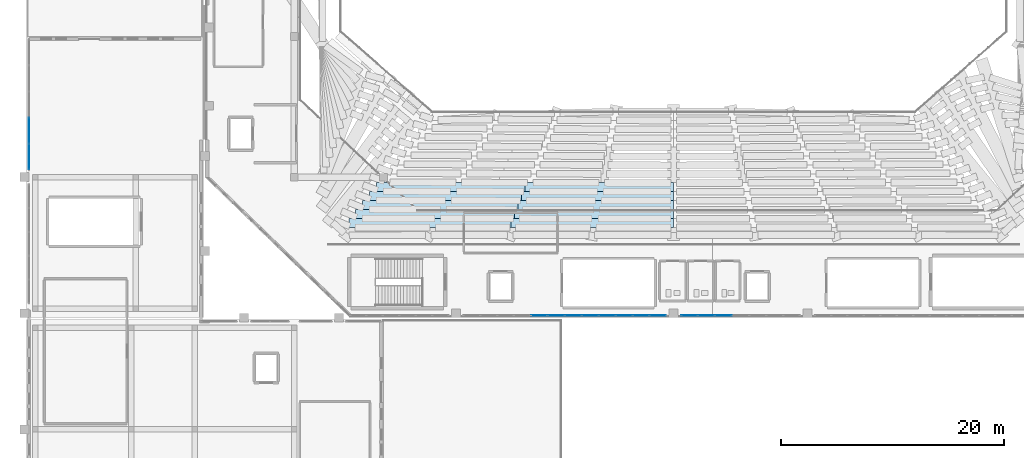
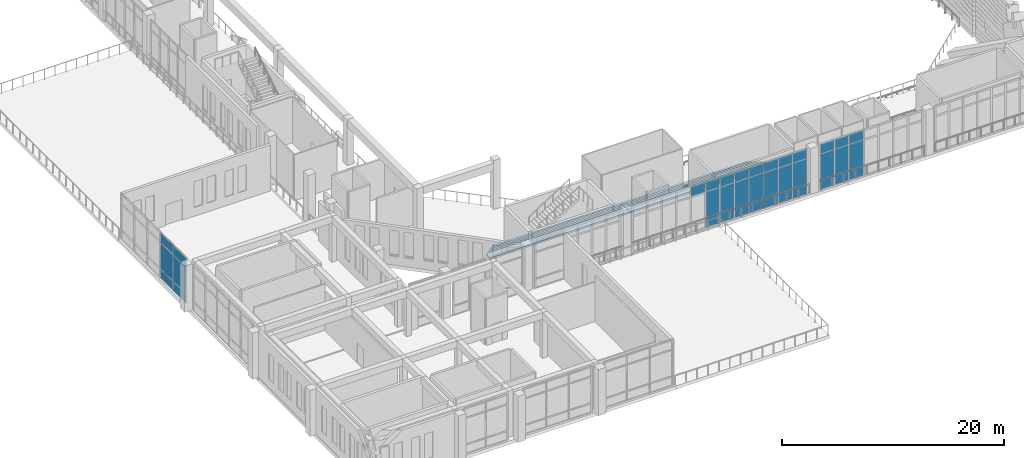
# One storey, part 32 of 55: 37 plates, 10 slabs, 3 elements without a shape of their own.
"""IFC4 building model written with IfcOpenShell, lengths in metres."""

from ifc_helpers import new_model, si_unit, derived_unit, direction, frame, origin, origin_2d, place, context, subcontext, project, spatial, polyline, rectangle, outline, extrude, material, layer, layer_set, type_object, element, aggregate, save


model = new_model("IFC4")

# Units and contexts
model_context = context("Model", 3, precision=1e-05, world=origin(), true_north=direction((0.0, 1.0)))
body_context = subcontext(model_context, "Body", "Model", "MODEL_VIEW")
ifc_project = project(units=[si_unit("LENGTHUNIT", "METRE"), si_unit("AREAUNIT", "SQUARE_METRE"), si_unit("VOLUMEUNIT", "CUBIC_METRE"), si_unit("PLANEANGLEUNIT", "RADIAN"), si_unit("MASSUNIT", "GRAM", prefix="KILO"), derived_unit("THERMALTRANSMITTANCEUNIT", [(si_unit("MASSUNIT", "GRAM", prefix="KILO"), 1), (si_unit("TIMEUNIT", "SECOND"), -3), (si_unit("THERMODYNAMICTEMPERATUREUNIT", "KELVIN"), -1)])], contexts=[model_context])

# Site, building, storey
site_placement = place(None, origin())
site = spatial("IfcSite", under=ifc_project, at=site_placement, CompositionType="ELEMENT")
building_placement = place(site_placement, origin())
building = spatial("IfcBuilding", under=site, at=building_placement, Name="Valcora Ridge Arena", CompositionType="ELEMENT")
storey_placement = place(building_placement, frame((0.0, 0.0, 21.0)))
storey = spatial("IfcBuildingStorey", under=building, at=storey_placement, Name="L04", CompositionType="ELEMENT", Elevation=21.0)

# Curtain wall, plates
ifc_material_1 = material(Name="Anodised dark bronze architectural aluminium 6063-T6", Category="aluminium")
ifc_layer_1 = layer(ifc_material_1, 0.179931640625, Name="Anodised dark bronze architectural aluminium 6063-T6")
ifc_layer_set_1 = layer_set([ifc_layer_1], Name="Anodised dark bronze architectural aluminium 6063-T6")
curtain_wall_type_1 = type_object("IfcCurtainWallType", Name="TY-CURTAINWALL-CW-V1-GOTH-182X51", PredefinedType="NOTDEFINED", material=ifc_layer_set_1)
curtain_wall_1_placement = place(storey_placement, origin())
curtain_wall_1 = element("IfcCurtainWall", 1, at=curtain_wall_1_placement, inside=storey, type_object=curtain_wall_type_1, Name="CW-V1-GOTH-182X51 CW-0154", PredefinedType="NOTDEFINED")
ifc_material_2 = material(Name="Low-iron solar-control double glazing SHGC 0.28", Category="glass")
ifc_layer_2 = layer(ifc_material_2, 0.031982421875, Name="Low-iron solar-control double glazing SHGC 0.28")
ifc_layer_set_2 = layer_set([ifc_layer_2], Name="Low-iron solar-control double glazing SHGC 0.28")
plate_type_1 = type_object("IfcPlateType", Name="TY-PLT-CWP-1428X0960", PredefinedType="CURTAIN_PANEL", material=ifc_layer_set_2)
plate_1_placement = place(storey_placement, frame((56.5859375, 20.199951171875, 0.06005859375), z_axis=(0.0, 0.0, 1.0), x_axis=(1.0, 0.0, 0.0)))
plate_1 = element("IfcPlate", 2, at=plate_1_placement, type_object=plate_type_1, Name="CW-0154/P11-00", PredefinedType="CURTAIN_PANEL", context=body_context, shape_type="SweptSolid", body=[
    extrude(rectangle(XDim=1.427978515625, YDim=0.031982421875, at=origin_2d()), origin(), (0.0, 0.0, 1.0), 0.9599609375),
])
ifc_layer_3 = layer(ifc_material_2, 0.031982421875, Name="Low-iron solar-control double glazing SHGC 0.28")
ifc_layer_set_3 = layer_set([ifc_layer_3], Name="Low-iron solar-control double glazing SHGC 0.28")
plate_type_2 = type_object("IfcPlateType", Name="TY-PLT-CWP-1428X1010", PredefinedType="CURTAIN_PANEL", material=ifc_layer_set_3)
plate_2_placement = place(storey_placement, frame((56.5859375, 20.199951171875, 3.990234375), z_axis=(0.0, 0.0, 1.0), x_axis=(1.0, 0.0, 0.0)))
plate_2 = element("IfcPlate", 3, at=plate_2_placement, type_object=plate_type_2, Name="CW-0154/P11-02", PredefinedType="CURTAIN_PANEL", context=body_context, shape_type="SweptSolid", body=[
    extrude(rectangle(XDim=1.427978515625, YDim=0.031982421875, at=origin_2d()), origin(), (0.0, 0.0, 1.0), 1.010009765625),
])
ifc_layer_4 = layer(ifc_material_2, 0.031982421875, Name="Low-iron solar-control double glazing SHGC 0.28")
ifc_layer_set_4 = layer_set([ifc_layer_4], Name="Low-iron solar-control double glazing SHGC 0.28")
plate_type_3 = type_object("IfcPlateType", Name="TY-PLT-CWP-1428X2850", PredefinedType="CURTAIN_PANEL", material=ifc_layer_set_4)
plate_3_placement = place(storey_placement, frame((56.5859375, 20.199951171875, 1.079833984375), z_axis=(0.0, 0.0, 1.0), x_axis=(1.0, 0.0, 0.0)))
plate_3 = element("IfcPlate", 4, at=plate_3_placement, type_object=plate_type_3, Name="CW-0154/P11-01", PredefinedType="CURTAIN_PANEL", context=body_context, shape_type="SweptSolid", body=[
    extrude(rectangle(XDim=1.427978515625, YDim=0.031982421875, at=origin_2d()), origin(), (0.0, 0.0, 1.0), 2.85009765625),
])

ifc_layer_5 = layer(ifc_material_1, 0.179931640625, Name="Anodised dark bronze architectural aluminium 6063-T6")
ifc_layer_set_5 = layer_set([ifc_layer_5], Name="Anodised dark bronze architectural aluminium 6063-T6")
curtain_wall_type_2 = type_object("IfcCurtainWallType", Name="TY-CURTAINWALL-CW-V1-GOTH-107X51", PredefinedType="NOTDEFINED", material=ifc_layer_set_5)
curtain_wall_2_placement = place(storey_placement, origin())
curtain_wall_2 = element("IfcCurtainWall", 5, at=curtain_wall_2_placement, inside=storey, type_object=curtain_wall_type_2, Name="CW-V1-GOTH-107X51 CW-0155", PredefinedType="NOTDEFINED")
ifc_layer_6 = layer(ifc_material_2, 0.031982421875, Name="Low-iron solar-control double glazing SHGC 0.28")
ifc_layer_set_6 = layer_set([ifc_layer_6], Name="Low-iron solar-control double glazing SHGC 0.28")
plate_type_4 = type_object("IfcPlateType", Name="TY-PLT-CWP-1441X0960", PredefinedType="CURTAIN_PANEL", material=ifc_layer_set_6)
plate_4_placement = place(storey_placement, frame((59.42041015625, 20.199951171875, 0.06005859375), z_axis=(0.0, 0.0, 1.0), x_axis=(1.0, 0.0, 0.0)))
plate_4 = element("IfcPlate", 6, at=plate_4_placement, type_object=plate_type_4, Name="CW-0155/P00-00", PredefinedType="CURTAIN_PANEL", context=body_context, shape_type="SweptSolid", body=[
    extrude(rectangle(XDim=1.44091796875, YDim=0.031982421875, at=origin_2d()), origin(), (0.0, 0.0, 1.0), 0.9599609375),
])
ifc_layer_7 = layer(ifc_material_2, 0.031982421875, Name="Low-iron solar-control double glazing SHGC 0.28")
ifc_layer_set_7 = layer_set([ifc_layer_7], Name="Low-iron solar-control double glazing SHGC 0.28")
plate_type_5 = type_object("IfcPlateType", Name="TY-PLT-CWP-1441X1010", PredefinedType="CURTAIN_PANEL", material=ifc_layer_set_7)
plate_5_placement = place(storey_placement, frame((59.42041015625, 20.199951171875, 3.990234375), z_axis=(0.0, 0.0, 1.0), x_axis=(1.0, 0.0, 0.0)))
plate_5 = element("IfcPlate", 7, at=plate_5_placement, type_object=plate_type_5, Name="CW-0155/P00-02", PredefinedType="CURTAIN_PANEL", context=body_context, shape_type="SweptSolid", body=[
    extrude(rectangle(XDim=1.44091796875, YDim=0.031982421875, at=origin_2d()), origin(), (0.0, 0.0, 1.0), 1.010009765625),
])
ifc_layer_8 = layer(ifc_material_2, 0.031982421875, Name="Low-iron solar-control double glazing SHGC 0.28")
ifc_layer_set_8 = layer_set([ifc_layer_8], Name="Low-iron solar-control double glazing SHGC 0.28")
plate_type_6 = type_object("IfcPlateType", Name="TY-PLT-CWP-1441X2850", PredefinedType="CURTAIN_PANEL", material=ifc_layer_set_8)
plate_6_placement = place(storey_placement, frame((59.42041015625, 20.199951171875, 1.079833984375), z_axis=(0.0, 0.0, 1.0), x_axis=(1.0, 0.0, 0.0)))
plate_6 = element("IfcPlate", 8, at=plate_6_placement, type_object=plate_type_6, Name="CW-0155/P00-01", PredefinedType="CURTAIN_PANEL", context=body_context, shape_type="SweptSolid", body=[
    extrude(rectangle(XDim=1.44091796875, YDim=0.031982421875, at=origin_2d()), origin(), (0.0, 0.0, 1.0), 2.85009765625),
])

# Plate
ifc_layer_9 = layer(ifc_material_2, 0.031982421875, Name="Low-iron solar-control double glazing SHGC 0.28")
ifc_layer_set_9 = layer_set([ifc_layer_9], Name="Low-iron solar-control double glazing SHGC 0.28")
plate_type_7 = type_object("IfcPlateType", Name="TY-PLT-CWP-1458X0960", PredefinedType="CURTAIN_PANEL", material=ifc_layer_set_9)
plate_7_placement = place(storey_placement, frame((47.490966796875, 20.199951171875, 0.06005859375), z_axis=(0.0, 0.0, 1.0), x_axis=(1.0, 0.0, 0.0)))
plate_7 = element("IfcPlate", 9, at=plate_7_placement, type_object=plate_type_7, Name="CW-0154/P05-00", PredefinedType="CURTAIN_PANEL", context=body_context, shape_type="SweptSolid", body=[
    extrude(rectangle(XDim=1.4580078125, YDim=0.031982421875, at=origin_2d()), origin(), (0.0, 0.0, 1.0), 0.9599609375),
])

plate_8_placement = place(storey_placement, frame((49.009033203125, 20.199951171875, 0.06005859375), z_axis=(0.0, 0.0, 1.0), x_axis=(1.0, 0.0, 0.0)))
plate_8 = element("IfcPlate", 10, at=plate_8_placement, type_object=plate_type_7, Name="CW-0154/P06-00", PredefinedType="CURTAIN_PANEL", context=body_context, shape_type="SweptSolid", body=[
    extrude(rectangle(XDim=1.4580078125, YDim=0.031982421875, at=origin_2d()), origin(), (0.0, 0.0, 1.0), 0.9599609375),
])

plate_9_placement = place(storey_placement, frame((52.0458984375, 20.199951171875, 0.06005859375), z_axis=(0.0, 0.0, 1.0), x_axis=(1.0, 0.0, 0.0)))
plate_9 = element("IfcPlate", 11, at=plate_9_placement, type_object=plate_type_7, Name="CW-0154/P08-00", PredefinedType="CURTAIN_PANEL", context=body_context, shape_type="SweptSolid", body=[
    extrude(rectangle(XDim=1.4580078125, YDim=0.031982421875, at=origin_2d()), origin(), (0.0, 0.0, 1.0), 0.9599609375),
])

plate_10_placement = place(storey_placement, frame((53.56396484375, 20.199951171875, 0.06005859375), z_axis=(0.0, 0.0, 1.0), x_axis=(1.0, 0.0, 0.0)))
plate_10 = element("IfcPlate", 12, at=plate_10_placement, type_object=plate_type_7, Name="CW-0154/P09-00", PredefinedType="CURTAIN_PANEL", context=body_context, shape_type="SweptSolid", body=[
    extrude(rectangle(XDim=1.4580078125, YDim=0.031982421875, at=origin_2d()), origin(), (0.0, 0.0, 1.0), 0.9599609375),
])

ifc_layer_10 = layer(ifc_material_2, 0.031982421875, Name="Low-iron solar-control double glazing SHGC 0.28")
ifc_layer_set_10 = layer_set([ifc_layer_10], Name="Low-iron solar-control double glazing SHGC 0.28")
plate_type_8 = type_object("IfcPlateType", Name="TY-PLT-CWP-1458X1010", PredefinedType="CURTAIN_PANEL", material=ifc_layer_set_10)
plate_11_placement = place(storey_placement, frame((47.490966796875, 20.199951171875, 3.990234375), z_axis=(0.0, 0.0, 1.0), x_axis=(1.0, 0.0, 0.0)))
plate_11 = element("IfcPlate", 13, at=plate_11_placement, type_object=plate_type_8, Name="CW-0154/P05-02", PredefinedType="CURTAIN_PANEL", context=body_context, shape_type="SweptSolid", body=[
    extrude(rectangle(XDim=1.4580078125, YDim=0.031982421875, at=origin_2d()), origin(), (0.0, 0.0, 1.0), 1.010009765625),
])

plate_12_placement = place(storey_placement, frame((49.009033203125, 20.199951171875, 3.990234375), z_axis=(0.0, 0.0, 1.0), x_axis=(1.0, 0.0, 0.0)))
plate_12 = element("IfcPlate", 14, at=plate_12_placement, type_object=plate_type_8, Name="CW-0154/P06-02", PredefinedType="CURTAIN_PANEL", context=body_context, shape_type="SweptSolid", body=[
    extrude(rectangle(XDim=1.4580078125, YDim=0.031982421875, at=origin_2d()), origin(), (0.0, 0.0, 1.0), 1.010009765625),
])

plate_13_placement = place(storey_placement, frame((52.0458984375, 20.199951171875, 3.990234375), z_axis=(0.0, 0.0, 1.0), x_axis=(1.0, 0.0, 0.0)))
plate_13 = element("IfcPlate", 15, at=plate_13_placement, type_object=plate_type_8, Name="CW-0154/P08-02", PredefinedType="CURTAIN_PANEL", context=body_context, shape_type="SweptSolid", body=[
    extrude(rectangle(XDim=1.4580078125, YDim=0.031982421875, at=origin_2d()), origin(), (0.0, 0.0, 1.0), 1.010009765625),
])

plate_14_placement = place(storey_placement, frame((53.56396484375, 20.199951171875, 3.990234375), z_axis=(0.0, 0.0, 1.0), x_axis=(1.0, 0.0, 0.0)))
plate_14 = element("IfcPlate", 16, at=plate_14_placement, type_object=plate_type_8, Name="CW-0154/P09-02", PredefinedType="CURTAIN_PANEL", context=body_context, shape_type="SweptSolid", body=[
    extrude(rectangle(XDim=1.4580078125, YDim=0.031982421875, at=origin_2d()), origin(), (0.0, 0.0, 1.0), 1.010009765625),
])

ifc_layer_11 = layer(ifc_material_2, 0.031982421875, Name="Low-iron solar-control double glazing SHGC 0.28")
ifc_layer_set_11 = layer_set([ifc_layer_11], Name="Low-iron solar-control double glazing SHGC 0.28")
plate_type_9 = type_object("IfcPlateType", Name="TY-PLT-CWP-1458X2850", PredefinedType="CURTAIN_PANEL", material=ifc_layer_set_11)
plate_15_placement = place(storey_placement, frame((47.490966796875, 20.199951171875, 1.079833984375), z_axis=(0.0, 0.0, 1.0), x_axis=(1.0, 0.0, 0.0)))
plate_15 = element("IfcPlate", 17, at=plate_15_placement, type_object=plate_type_9, Name="CW-0154/P05-01", PredefinedType="CURTAIN_PANEL", context=body_context, shape_type="SweptSolid", body=[
    extrude(rectangle(XDim=1.4580078125, YDim=0.031982421875, at=origin_2d()), origin(), (0.0, 0.0, 1.0), 2.85009765625),
])

plate_16_placement = place(storey_placement, frame((49.009033203125, 20.199951171875, 1.079833984375), z_axis=(0.0, 0.0, 1.0), x_axis=(1.0, 0.0, 0.0)))
plate_16 = element("IfcPlate", 18, at=plate_16_placement, type_object=plate_type_9, Name="CW-0154/P06-01", PredefinedType="CURTAIN_PANEL", context=body_context, shape_type="SweptSolid", body=[
    extrude(rectangle(XDim=1.4580078125, YDim=0.031982421875, at=origin_2d()), origin(), (0.0, 0.0, 1.0), 2.85009765625),
])

plate_17_placement = place(storey_placement, frame((52.0458984375, 20.199951171875, 1.079833984375), z_axis=(0.0, 0.0, 1.0), x_axis=(1.0, 0.0, 0.0)))
plate_17 = element("IfcPlate", 19, at=plate_17_placement, type_object=plate_type_9, Name="CW-0154/P08-01", PredefinedType="CURTAIN_PANEL", context=body_context, shape_type="SweptSolid", body=[
    extrude(rectangle(XDim=1.4580078125, YDim=0.031982421875, at=origin_2d()), origin(), (0.0, 0.0, 1.0), 2.85009765625),
])

plate_18_placement = place(storey_placement, frame((53.56396484375, 20.199951171875, 1.079833984375), z_axis=(0.0, 0.0, 1.0), x_axis=(1.0, 0.0, 0.0)))
plate_18 = element("IfcPlate", 20, at=plate_18_placement, type_object=plate_type_9, Name="CW-0154/P09-01", PredefinedType="CURTAIN_PANEL", context=body_context, shape_type="SweptSolid", body=[
    extrude(rectangle(XDim=1.4580078125, YDim=0.031982421875, at=origin_2d()), origin(), (0.0, 0.0, 1.0), 2.85009765625),
])

ifc_layer_12 = layer(ifc_material_2, 0.031982421875, Name="Low-iron solar-control double glazing SHGC 0.28")
ifc_layer_set_12 = layer_set([ifc_layer_12], Name="Low-iron solar-control double glazing SHGC 0.28")
plate_type_10 = type_object("IfcPlateType", Name="TY-PLT-CWP-1459X0960", PredefinedType="CURTAIN_PANEL", material=ifc_layer_set_12)
plate_19_placement = place(storey_placement, frame((50.527587890625, 20.199951171875, 0.06005859375), z_axis=(0.0, 0.0, 1.0), x_axis=(1.0, 0.0, 0.0)))
plate_19 = element("IfcPlate", 21, at=plate_19_placement, type_object=plate_type_10, Name="CW-0154/P07-00", PredefinedType="CURTAIN_PANEL", context=body_context, shape_type="SweptSolid", body=[
    extrude(rectangle(XDim=1.458984375, YDim=0.031982421875, at=origin_2d()), origin(), (0.0, 0.0, 1.0), 0.9599609375),
])

plate_20_placement = place(storey_placement, frame((55.08251953125, 20.199951171875, 0.06005859375), z_axis=(0.0, 0.0, 1.0), x_axis=(1.0, 0.0, 0.0)))
plate_20 = element("IfcPlate", 22, at=plate_20_placement, type_object=plate_type_10, Name="CW-0154/P10-00", PredefinedType="CURTAIN_PANEL", context=body_context, shape_type="SweptSolid", body=[
    extrude(rectangle(XDim=1.458984375, YDim=0.031982421875, at=origin_2d()), origin(), (0.0, 0.0, 1.0), 0.9599609375),
])

ifc_layer_13 = layer(ifc_material_2, 0.031982421875, Name="Low-iron solar-control double glazing SHGC 0.28")
ifc_layer_set_13 = layer_set([ifc_layer_13], Name="Low-iron solar-control double glazing SHGC 0.28")
plate_type_11 = type_object("IfcPlateType", Name="TY-PLT-CWP-1459X1010", PredefinedType="CURTAIN_PANEL", material=ifc_layer_set_13)
plate_21_placement = place(storey_placement, frame((45.972412109375, 20.199951171875, 3.990234375), z_axis=(0.0, 0.0, 1.0), x_axis=(1.0, 0.0, 0.0)))
plate_21 = element("IfcPlate", 23, at=plate_21_placement, type_object=plate_type_11, Name="CW-0154/P04-02", PredefinedType="CURTAIN_PANEL", context=body_context, shape_type="SweptSolid", body=[
    extrude(rectangle(XDim=1.458984375, YDim=0.031982421875, at=origin_2d()), origin(), (0.0, 0.0, 1.0), 1.010009765625),
])

plate_22_placement = place(storey_placement, frame((50.527587890625, 20.199951171875, 3.990234375), z_axis=(0.0, 0.0, 1.0), x_axis=(1.0, 0.0, 0.0)))
plate_22 = element("IfcPlate", 24, at=plate_22_placement, type_object=plate_type_11, Name="CW-0154/P07-02", PredefinedType="CURTAIN_PANEL", context=body_context, shape_type="SweptSolid", body=[
    extrude(rectangle(XDim=1.458984375, YDim=0.031982421875, at=origin_2d()), origin(), (0.0, 0.0, 1.0), 1.010009765625),
])

plate_23_placement = place(storey_placement, frame((55.08251953125, 20.199951171875, 3.990234375), z_axis=(0.0, 0.0, 1.0), x_axis=(1.0, 0.0, 0.0)))
plate_23 = element("IfcPlate", 25, at=plate_23_placement, type_object=plate_type_11, Name="CW-0154/P10-02", PredefinedType="CURTAIN_PANEL", context=body_context, shape_type="SweptSolid", body=[
    extrude(rectangle(XDim=1.458984375, YDim=0.031982421875, at=origin_2d()), origin(), (0.0, 0.0, 1.0), 1.010009765625),
])

ifc_layer_14 = layer(ifc_material_2, 0.031982421875, Name="Low-iron solar-control double glazing SHGC 0.28")
ifc_layer_set_14 = layer_set([ifc_layer_14], Name="Low-iron solar-control double glazing SHGC 0.28")
plate_type_12 = type_object("IfcPlateType", Name="TY-PLT-CWP-1459X2850", PredefinedType="CURTAIN_PANEL", material=ifc_layer_set_14)
plate_24_placement = place(storey_placement, frame((50.527587890625, 20.199951171875, 1.079833984375), z_axis=(0.0, 0.0, 1.0), x_axis=(1.0, 0.0, 0.0)))
plate_24 = element("IfcPlate", 26, at=plate_24_placement, type_object=plate_type_12, Name="CW-0154/P07-01", PredefinedType="CURTAIN_PANEL", context=body_context, shape_type="SweptSolid", body=[
    extrude(rectangle(XDim=1.458984375, YDim=0.031982421875, at=origin_2d()), origin(), (0.0, 0.0, 1.0), 2.85009765625),
])

plate_25_placement = place(storey_placement, frame((55.08251953125, 20.199951171875, 1.079833984375), z_axis=(0.0, 0.0, 1.0), x_axis=(1.0, 0.0, 0.0)))
plate_25 = element("IfcPlate", 27, at=plate_25_placement, type_object=plate_type_12, Name="CW-0154/P10-01", PredefinedType="CURTAIN_PANEL", context=body_context, shape_type="SweptSolid", body=[
    extrude(rectangle(XDim=1.458984375, YDim=0.031982421875, at=origin_2d()), origin(), (0.0, 0.0, 1.0), 2.85009765625),
])

aggregate(curtain_wall_1, [plate_21, plate_7, plate_15, plate_11, plate_8, plate_16, plate_12, plate_19, plate_24, plate_22, plate_9, plate_17, plate_13, plate_10, plate_18, plate_14, plate_20, plate_25, plate_23, plate_1, plate_3, plate_2])

ifc_layer_15 = layer(ifc_material_2, 0.031982421875, Name="Low-iron solar-control double glazing SHGC 0.28")
ifc_layer_set_15 = layer_set([ifc_layer_15], Name="Low-iron solar-control double glazing SHGC 0.28")
plate_type_13 = type_object("IfcPlateType", Name="TY-PLT-CWP-1471X0960", PredefinedType="CURTAIN_PANEL", material=ifc_layer_set_15)
plate_26_placement = place(storey_placement, frame((62.468505859375, 20.199951171875, 0.06005859375), z_axis=(0.0, 0.0, 1.0), x_axis=(1.0, 0.0, 0.0)))
plate_26 = element("IfcPlate", 28, at=plate_26_placement, type_object=plate_type_13, Name="CW-0155/P02-00", PredefinedType="CURTAIN_PANEL", context=body_context, shape_type="SweptSolid", body=[
    extrude(rectangle(XDim=1.470947265625, YDim=0.031982421875, at=origin_2d()), origin(), (0.0, 0.0, 1.0), 0.9599609375),
])

ifc_layer_16 = layer(ifc_material_2, 0.031982421875, Name="Low-iron solar-control double glazing SHGC 0.28")
ifc_layer_set_16 = layer_set([ifc_layer_16], Name="Low-iron solar-control double glazing SHGC 0.28")
plate_type_14 = type_object("IfcPlateType", Name="TY-PLT-CWP-1471X1010", PredefinedType="CURTAIN_PANEL", material=ifc_layer_set_16)
plate_27_placement = place(storey_placement, frame((62.468505859375, 20.199951171875, 3.990234375), z_axis=(0.0, 0.0, 1.0), x_axis=(1.0, 0.0, 0.0)))
plate_27 = element("IfcPlate", 29, at=plate_27_placement, type_object=plate_type_14, Name="CW-0155/P02-02", PredefinedType="CURTAIN_PANEL", context=body_context, shape_type="SweptSolid", body=[
    extrude(rectangle(XDim=1.470947265625, YDim=0.031982421875, at=origin_2d()), origin(), (0.0, 0.0, 1.0), 1.010009765625),
])

ifc_layer_17 = layer(ifc_material_2, 0.031982421875, Name="Low-iron solar-control double glazing SHGC 0.28")
ifc_layer_set_17 = layer_set([ifc_layer_17], Name="Low-iron solar-control double glazing SHGC 0.28")
plate_type_15 = type_object("IfcPlateType", Name="TY-PLT-CWP-1471X2850", PredefinedType="CURTAIN_PANEL", material=ifc_layer_set_17)
plate_28_placement = place(storey_placement, frame((62.468505859375, 20.199951171875, 1.079833984375), z_axis=(0.0, 0.0, 1.0), x_axis=(1.0, 0.0, 0.0)))
plate_28 = element("IfcPlate", 30, at=plate_28_placement, type_object=plate_type_15, Name="CW-0155/P02-01", PredefinedType="CURTAIN_PANEL", context=body_context, shape_type="SweptSolid", body=[
    extrude(rectangle(XDim=1.470947265625, YDim=0.031982421875, at=origin_2d()), origin(), (0.0, 0.0, 1.0), 2.85009765625),
])

ifc_layer_18 = layer(ifc_material_2, 0.031982421875, Name="Low-iron solar-control double glazing SHGC 0.28")
ifc_layer_set_18 = layer_set([ifc_layer_18], Name="Low-iron solar-control double glazing SHGC 0.28")
plate_type_16 = type_object("IfcPlateType", Name="TY-PLT-CWP-1472X0960", PredefinedType="CURTAIN_PANEL", material=ifc_layer_set_18)
plate_29_placement = place(storey_placement, frame((60.93701171875, 20.199951171875, 0.06005859375), z_axis=(0.0, 0.0, 1.0), x_axis=(1.0, 0.0, 0.0)))
plate_29 = element("IfcPlate", 31, at=plate_29_placement, type_object=plate_type_16, Name="CW-0155/P01-00", PredefinedType="CURTAIN_PANEL", context=body_context, shape_type="SweptSolid", body=[
    extrude(rectangle(XDim=1.471923828125, YDim=0.031982421875, at=origin_2d()), origin(), (0.0, 0.0, 1.0), 0.9599609375),
])

ifc_layer_19 = layer(ifc_material_2, 0.031982421875, Name="Low-iron solar-control double glazing SHGC 0.28")
ifc_layer_set_19 = layer_set([ifc_layer_19], Name="Low-iron solar-control double glazing SHGC 0.28")
plate_type_17 = type_object("IfcPlateType", Name="TY-PLT-CWP-1472X1010", PredefinedType="CURTAIN_PANEL", material=ifc_layer_set_19)
plate_30_placement = place(storey_placement, frame((60.93701171875, 20.199951171875, 3.990234375), z_axis=(0.0, 0.0, 1.0), x_axis=(1.0, 0.0, 0.0)))
plate_30 = element("IfcPlate", 32, at=plate_30_placement, type_object=plate_type_17, Name="CW-0155/P01-02", PredefinedType="CURTAIN_PANEL", context=body_context, shape_type="SweptSolid", body=[
    extrude(rectangle(XDim=1.471923828125, YDim=0.031982421875, at=origin_2d()), origin(), (0.0, 0.0, 1.0), 1.010009765625),
])

ifc_layer_20 = layer(ifc_material_2, 0.031982421875, Name="Low-iron solar-control double glazing SHGC 0.28")
ifc_layer_set_20 = layer_set([ifc_layer_20], Name="Low-iron solar-control double glazing SHGC 0.28")
plate_type_18 = type_object("IfcPlateType", Name="TY-PLT-CWP-1472X2850", PredefinedType="CURTAIN_PANEL", material=ifc_layer_set_20)
plate_31_placement = place(storey_placement, frame((60.93701171875, 20.199951171875, 1.079833984375), z_axis=(0.0, 0.0, 1.0), x_axis=(1.0, 0.0, 0.0)))
plate_31 = element("IfcPlate", 33, at=plate_31_placement, type_object=plate_type_18, Name="CW-0155/P01-01", PredefinedType="CURTAIN_PANEL", context=body_context, shape_type="SweptSolid", body=[
    extrude(rectangle(XDim=1.471923828125, YDim=0.031982421875, at=origin_2d()), origin(), (0.0, 0.0, 1.0), 2.85009765625),
])

aggregate(curtain_wall_2, [plate_4, plate_6, plate_5, plate_29, plate_31, plate_30, plate_26, plate_28, plate_27])

# Curtain wall, plates
ifc_layer_21 = layer(ifc_material_1, 0.14990234375, Name="Anodised dark bronze architectural aluminium 6063-T6")
ifc_layer_set_21 = layer_set([ifc_layer_21], Name="Anodised dark bronze architectural aluminium 6063-T6")
curtain_wall_type_3 = type_object("IfcCurtainWallType", Name="TY-CURTAINWALL-CW-V4-CLUB-117X51", PredefinedType="NOTDEFINED", material=ifc_layer_set_21)
curtain_wall_3_placement = place(storey_placement, origin())
curtain_wall_3 = element("IfcCurtainWall", 34, at=curtain_wall_3_placement, inside=storey, type_object=curtain_wall_type_3, Name="CW-V4-CLUB-117X51 CW-0305", PredefinedType="NOTDEFINED")
ifc_layer_22 = layer(ifc_material_2, 0.028076171875, Name="Low-iron solar-control double glazing SHGC 0.28")
ifc_layer_set_22 = layer_set([ifc_layer_22], Name="Low-iron solar-control double glazing SHGC 0.28")
plate_type_19 = type_object("IfcPlateType", Name="TY-PLT-CWP-2273X0975", PredefinedType="CURTAIN_PANEL", material=ifc_layer_set_22)
plate_32_placement = place(storey_placement, frame((0.219970703125, 34.426513671875, 0.050048828125), z_axis=(0.0, 0.0, 1.0), x_axis=(0.0, 1.0, 0.0)))
plate_32 = element("IfcPlate", 35, at=plate_32_placement, type_object=plate_type_19, Name="CW-0305/P00-00", PredefinedType="CURTAIN_PANEL", context=body_context, shape_type="SweptSolid", body=[
    extrude(rectangle(XDim=2.27294921875, YDim=0.028076171875, at=origin_2d()), origin(), (0.0, 0.0, 1.0), 0.97509765625),
])
ifc_layer_23 = layer(ifc_material_2, 0.028076171875, Name="Low-iron solar-control double glazing SHGC 0.28")
ifc_layer_set_23 = layer_set([ifc_layer_23], Name="Low-iron solar-control double glazing SHGC 0.28")
plate_type_20 = type_object("IfcPlateType", Name="TY-PLT-CWP-2273X1025", PredefinedType="CURTAIN_PANEL", material=ifc_layer_set_23)
plate_33_placement = place(storey_placement, frame((0.219970703125, 34.426513671875, 4.005126953125), z_axis=(0.0, 0.0, 1.0), x_axis=(0.0, 1.0, 0.0)))
plate_33 = element("IfcPlate", 36, at=plate_33_placement, type_object=plate_type_20, Name="CW-0305/P00-02", PredefinedType="CURTAIN_PANEL", context=body_context, shape_type="SweptSolid", body=[
    extrude(rectangle(XDim=2.27294921875, YDim=0.028076171875, at=origin_2d()), origin(), (0.0, 0.0, 1.0), 1.02490234375),
])
ifc_layer_24 = layer(ifc_material_2, 0.028076171875, Name="Low-iron solar-control double glazing SHGC 0.28")
ifc_layer_set_24 = layer_set([ifc_layer_24], Name="Low-iron solar-control double glazing SHGC 0.28")
plate_type_21 = type_object("IfcPlateType", Name="TY-PLT-CWP-2273X2880", PredefinedType="CURTAIN_PANEL", material=ifc_layer_set_24)
plate_34_placement = place(storey_placement, frame((0.219970703125, 34.426513671875, 1.074951171875), z_axis=(0.0, 0.0, 1.0), x_axis=(0.0, 1.0, 0.0)))
plate_34 = element("IfcPlate", 37, at=plate_34_placement, type_object=plate_type_21, Name="CW-0305/P00-01", PredefinedType="CURTAIN_PANEL", context=body_context, shape_type="SweptSolid", body=[
    extrude(rectangle(XDim=2.27294921875, YDim=0.028076171875, at=origin_2d()), origin(), (0.0, 0.0, 1.0), 2.8798828125),
])
ifc_layer_25 = layer(ifc_material_2, 0.028076171875, Name="Low-iron solar-control double glazing SHGC 0.28")
ifc_layer_set_25 = layer_set([ifc_layer_25], Name="Low-iron solar-control double glazing SHGC 0.28")
plate_type_22 = type_object("IfcPlateType", Name="TY-PLT-CWP-2298X0975", PredefinedType="CURTAIN_PANEL", material=ifc_layer_set_25)
plate_35_placement = place(storey_placement, frame((0.219970703125, 36.761962890625, 0.050048828125), z_axis=(0.0, 0.0, 1.0), x_axis=(0.0, 1.0, 0.0)))
plate_35 = element("IfcPlate", 38, at=plate_35_placement, type_object=plate_type_22, Name="CW-0305/P01-00", PredefinedType="CURTAIN_PANEL", context=body_context, shape_type="SweptSolid", body=[
    extrude(rectangle(XDim=2.298095703125, YDim=0.028076171875, at=origin_2d()), origin(), (0.0, 0.0, 1.0), 0.97509765625),
])
ifc_layer_26 = layer(ifc_material_2, 0.028076171875, Name="Low-iron solar-control double glazing SHGC 0.28")
ifc_layer_set_26 = layer_set([ifc_layer_26], Name="Low-iron solar-control double glazing SHGC 0.28")
plate_type_23 = type_object("IfcPlateType", Name="TY-PLT-CWP-2298X1025", PredefinedType="CURTAIN_PANEL", material=ifc_layer_set_26)
plate_36_placement = place(storey_placement, frame((0.219970703125, 36.761962890625, 4.005126953125), z_axis=(0.0, 0.0, 1.0), x_axis=(0.0, 1.0, 0.0)))
plate_36 = element("IfcPlate", 39, at=plate_36_placement, type_object=plate_type_23, Name="CW-0305/P01-02", PredefinedType="CURTAIN_PANEL", context=body_context, shape_type="SweptSolid", body=[
    extrude(rectangle(XDim=2.298095703125, YDim=0.028076171875, at=origin_2d()), origin(), (0.0, 0.0, 1.0), 1.02490234375),
])
ifc_layer_27 = layer(ifc_material_2, 0.028076171875, Name="Low-iron solar-control double glazing SHGC 0.28")
ifc_layer_set_27 = layer_set([ifc_layer_27], Name="Low-iron solar-control double glazing SHGC 0.28")
plate_type_24 = type_object("IfcPlateType", Name="TY-PLT-CWP-2298X2880", PredefinedType="CURTAIN_PANEL", material=ifc_layer_set_27)
plate_37_placement = place(storey_placement, frame((0.219970703125, 36.761962890625, 1.074951171875), z_axis=(0.0, 0.0, 1.0), x_axis=(0.0, 1.0, 0.0)))
plate_37 = element("IfcPlate", 40, at=plate_37_placement, type_object=plate_type_24, Name="CW-0305/P01-01", PredefinedType="CURTAIN_PANEL", context=body_context, shape_type="SweptSolid", body=[
    extrude(rectangle(XDim=2.298095703125, YDim=0.028076171875, at=origin_2d()), origin(), (0.0, 0.0, 1.0), 2.8798828125),
])
aggregate(curtain_wall_3, [plate_32, plate_34, plate_33, plate_35, plate_37, plate_36])

# Slabs
ifc_material_3 = material(Name="Precast concrete C45/55", Category="concrete")
ifc_layer_28 = layer(ifc_material_3, 0.199951171875, Name="Precast concrete C45/55")
ifc_layer_set_28 = layer_set([ifc_layer_28], Name="Precast concrete C45/55")
slab_type_1 = type_object("IfcSlabType", Name="TY-SLAB-ST-UPP-L133", PredefinedType="USERDEFINED", material=ifc_layer_set_28)
slab_1_placement = place(storey_placement, frame((0.0, 0.0, -3.9599609375)))
element("IfcSlab", 41, at=slab_1_placement, inside=storey, type_object=slab_type_1, Name="ST-UPP-L133 SLB-TR-0553", ObjectType="SEATING TIER", PredefinedType="USERDEFINED", context=body_context, shape_type="SweptSolid", body=[
    extrude(outline(polyline([(31.384033203125, 32.10009765625), (44.69189453125, 32.10009765625), (44.69189453125, 31.300048828125), (31.384033203125, 31.300048828125), (31.384033203125, 32.10009765625)])), origin(), (0.0, 0.0, 1.0), 0.199951171875),
])
slab_2_placement = place(storey_placement, frame((0.0, 0.0, -3.9599609375)))
element("IfcSlab", 42, at=slab_2_placement, inside=storey, type_object=slab_type_1, Name="ST-UPP-L133 SLB-TR-0554", ObjectType="SEATING TIER", PredefinedType="USERDEFINED", context=body_context, shape_type="SweptSolid", body=[
    extrude(outline(polyline([(44.69189453125, 32.10009765625), (58.0, 32.10009765625), (58.0, 31.300048828125), (44.69189453125, 31.300048828125), (44.69189453125, 32.10009765625)])), origin(), (0.0, 0.0, 1.0), 0.199951171875),
])
ifc_layer_29 = layer(ifc_material_3, 0.199951171875, Name="Precast concrete C45/55")
ifc_layer_set_29 = layer_set([ifc_layer_29], Name="Precast concrete C45/55")
slab_type_2 = type_object("IfcSlabType", Name="TY-SLAB-ST-UPP-L136", PredefinedType="USERDEFINED", material=ifc_layer_set_29)
slab_3_placement = place(storey_placement, frame((0.0, 0.0, -3.47998046875)))
element("IfcSlab", 43, at=slab_3_placement, inside=storey, type_object=slab_type_2, Name="ST-UPP-L136 SLB-TR-0561", ObjectType="SEATING TIER", PredefinedType="USERDEFINED", context=body_context, shape_type="SweptSolid", body=[
    extrude(outline(polyline([(30.760009765625, 31.300048828125), (44.3798828125, 31.300048828125), (44.3798828125, 30.5), (30.760009765625, 30.5), (30.760009765625, 31.300048828125)])), origin(), (0.0, 0.0, 1.0), 0.199951171875),
])
slab_4_placement = place(storey_placement, frame((0.0, 0.0, -3.47998046875)))
element("IfcSlab", 44, at=slab_4_placement, inside=storey, type_object=slab_type_2, Name="ST-UPP-L136 SLB-TR-0562", ObjectType="SEATING TIER", PredefinedType="USERDEFINED", context=body_context, shape_type="SweptSolid", body=[
    extrude(outline(polyline([(44.3798828125, 31.300048828125), (58.0, 31.300048828125), (58.0, 30.5), (44.3798828125, 30.5), (44.3798828125, 31.300048828125)])), origin(), (0.0, 0.0, 1.0), 0.199951171875),
])
ifc_layer_30 = layer(ifc_material_3, 0.199951171875, Name="Precast concrete C45/55")
ifc_layer_set_30 = layer_set([ifc_layer_30], Name="Precast concrete C45/55")
slab_type_3 = type_object("IfcSlabType", Name="TY-SLAB-ST-UPP-L139", PredefinedType="USERDEFINED", material=ifc_layer_set_30)
slab_5_placement = place(storey_placement, frame((0.0, 0.0, -3.0)))
element("IfcSlab", 45, at=slab_5_placement, inside=storey, type_object=slab_type_3, Name="ST-UPP-L139 SLB-TR-0569", ObjectType="SEATING TIER", PredefinedType="USERDEFINED", context=body_context, shape_type="SweptSolid", body=[
    extrude(outline(polyline([(30.135986328125, 30.5), (44.068115234375, 30.5), (44.068115234375, 29.699951171875), (30.135986328125, 29.699951171875), (30.135986328125, 30.5)])), origin(), (0.0, 0.0, 1.0), 0.199951171875),
])
slab_6_placement = place(storey_placement, frame((0.0, 0.0, -3.0)))
element("IfcSlab", 46, at=slab_6_placement, inside=storey, type_object=slab_type_3, Name="ST-UPP-L139 SLB-TR-0570", ObjectType="SEATING TIER", PredefinedType="USERDEFINED", context=body_context, shape_type="SweptSolid", body=[
    extrude(outline(polyline([(44.068115234375, 30.5), (58.0, 30.5), (58.0, 29.699951171875), (44.068115234375, 29.699951171875), (44.068115234375, 30.5)])), origin(), (0.0, 0.0, 1.0), 0.199951171875),
])
ifc_layer_31 = layer(ifc_material_3, 0.199951171875, Name="Precast concrete C45/55")
ifc_layer_set_31 = layer_set([ifc_layer_31], Name="Precast concrete C45/55")
slab_type_4 = type_object("IfcSlabType", Name="TY-SLAB-ST-UPP-L142", PredefinedType="USERDEFINED", material=ifc_layer_set_31)
slab_7_placement = place(storey_placement, frame((0.0, 0.0, -2.52001953125)))
element("IfcSlab", 47, at=slab_7_placement, inside=storey, type_object=slab_type_4, Name="ST-UPP-L142 SLB-TR-0577", ObjectType="SEATING TIER", PredefinedType="USERDEFINED", context=body_context, shape_type="SweptSolid", body=[
    extrude(outline(polyline([(29.511962890625, 29.699951171875), (43.756103515625, 29.699951171875), (43.756103515625, 28.89990234375), (29.511962890625, 28.89990234375), (29.511962890625, 29.699951171875)])), origin(), (0.0, 0.0, 1.0), 0.199951171875),
])
slab_8_placement = place(storey_placement, frame((0.0, 0.0, -2.52001953125)))
element("IfcSlab", 48, at=slab_8_placement, inside=storey, type_object=slab_type_4, Name="ST-UPP-L142 SLB-TR-0578", ObjectType="SEATING TIER", PredefinedType="USERDEFINED", context=body_context, shape_type="SweptSolid", body=[
    extrude(outline(polyline([(43.756103515625, 29.699951171875), (58.0, 29.699951171875), (58.0, 28.89990234375), (43.756103515625, 28.89990234375), (43.756103515625, 29.699951171875)])), origin(), (0.0, 0.0, 1.0), 0.199951171875),
])
ifc_layer_32 = layer(ifc_material_3, 0.199951171875, Name="Precast concrete C45/55")
ifc_layer_set_32 = layer_set([ifc_layer_32], Name="Precast concrete C45/55")
slab_type_5 = type_object("IfcSlabType", Name="TY-SLAB-ST-UPP-L146", PredefinedType="USERDEFINED", material=ifc_layer_set_32)
slab_9_placement = place(storey_placement, frame((0.0, 0.0, -2.0400390625)))
element("IfcSlab", 49, at=slab_9_placement, inside=storey, type_object=slab_type_5, Name="ST-UPP-L146 SLB-TR-0585", ObjectType="SEATING TIER", PredefinedType="USERDEFINED", context=body_context, shape_type="SweptSolid", body=[
    extrude(outline(polyline([(28.887939453125, 28.89990234375), (43.444091796875, 28.89990234375), (43.444091796875, 28.10009765625), (28.887939453125, 28.10009765625), (28.887939453125, 28.89990234375)])), origin(), (0.0, 0.0, 1.0), 0.199951171875),
])
slab_10_placement = place(storey_placement, frame((0.0, 0.0, -2.0400390625)))
element("IfcSlab", 50, at=slab_10_placement, inside=storey, type_object=slab_type_5, Name="ST-UPP-L146 SLB-TR-0586", ObjectType="SEATING TIER", PredefinedType="USERDEFINED", context=body_context, shape_type="SweptSolid", body=[
    extrude(outline(polyline([(43.444091796875, 28.89990234375), (58.0, 28.89990234375), (58.0, 28.10009765625), (43.444091796875, 28.10009765625), (43.444091796875, 28.89990234375)])), origin(), (0.0, 0.0, 1.0), 0.199951171875),
])

save(model, "model.ifc")
